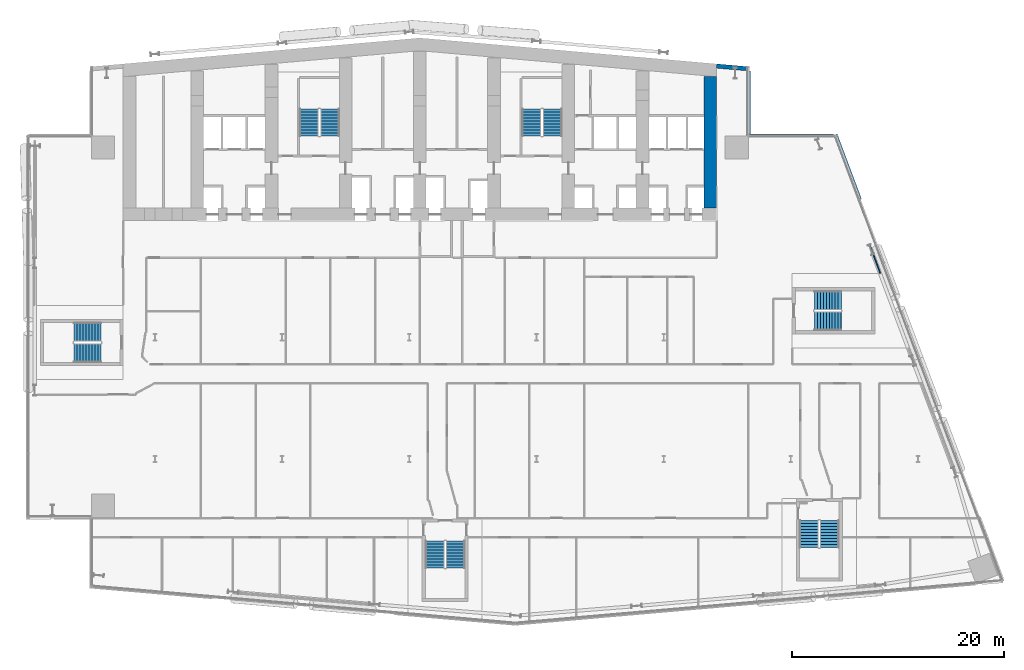
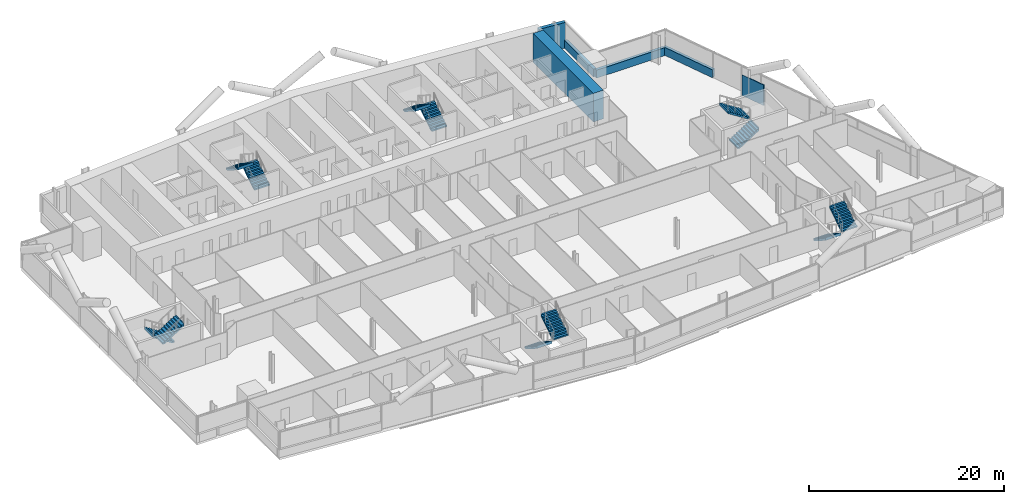
# One storey, part 21 of 28: 12 stair flights, 6 walls, 6 elements without a shape of their own.
"""IFC4 building model written with IfcOpenShell, lengths in metres."""

from ifc_helpers import new_model, si_unit, direction, frame, frame_2d, origin, place, context, subcontext, project, spatial, polyline, rectangle, outline, extrude, material, layer, layer_set, type_object, element, aggregate, save


model = new_model("IFC4")

# Units and contexts
model_context = context("Model", 3, precision=1e-05, world=origin(), true_north=direction((0.0, 1.0)))
body_context = subcontext(model_context, "Body", "Model", "MODEL_VIEW")
ifc_project = project(units=[si_unit("LENGTHUNIT", "METRE"), si_unit("AREAUNIT", "SQUARE_METRE"), si_unit("VOLUMEUNIT", "CUBIC_METRE"), si_unit("PLANEANGLEUNIT", "RADIAN"), si_unit("MASSUNIT", "GRAM", prefix="KILO")], contexts=[model_context])

# Site, building, storey
site_placement = place(None, origin())
site = spatial("IfcSite", under=ifc_project, at=site_placement, CompositionType="ELEMENT")
building_placement = place(site_placement, origin())
building = spatial("IfcBuilding", under=site, at=building_placement, Name="Wharfspan Tower", CompositionType="ELEMENT")
storey_placement = place(building_placement, frame((0.0, 0.0, 59.5)))
storey = spatial("IfcBuildingStorey", under=building, at=storey_placement, Name="L11", CompositionType="ELEMENT", Elevation=59.5)

# Walls
ifc_material_1 = material(Name="Concrete C70/85", Category="concrete")
ifc_layer_1 = layer(ifc_material_1, 1.199951)
ifc_layer_set_1 = layer_set([ifc_layer_1], Name="Concrete C70/85")
wall_type_1 = type_object("IfcWallType", Name="Core wall 1200 C70/85", PredefinedType="SHEAR", material=ifc_layer_set_1)
wall_1_placement = place(storey_placement, frame((64.399902, 35.199951, 0.0), z_axis=(0.0, 0.0, 1.0), x_axis=(0.0, 1.0, 0.0)))
element("IfcWall", 1, at=wall_1_placement, inside=storey, type_object=wall_type_1, Name="Core cross wall EW1 L11", PredefinedType="SHEAR", context=body_context, shape_type="SweptSolid", body=[
    extrude(rectangle(XDim=12.382812, YDim=1.199951, at=frame_2d((6.191406, 0.0))), origin(), (0.0, 0.0, 1.0), 3.600098),
])
ifc_material_2 = material(Name="Gypsum board on steel studs", Category="steel")
ifc_layer_2 = layer(ifc_material_2, 0.100098)
ifc_layer_set_2 = layer_set([ifc_layer_2], Name="Gypsum board on steel studs")
wall_type_2 = type_object("IfcWallType", Name="Partition 100", PredefinedType="PARTITIONING", material=ifc_layer_set_2)
wall_2_placement = place(storey_placement, frame((80.44751, 29.02002, 0.0), z_axis=(0.0, 0.0, 1.0), x_axis=(-0.35129, 0.93627, 0.0)))
element("IfcWall", 2, at=wall_2_placement, inside=storey, type_object=wall_type_2, Name="Partition L11.w086", PredefinedType="PARTITIONING", context=body_context, shape_type="SweptSolid", body=[
    extrude(rectangle(XDim=2.910645, YDim=0.100098, at=frame_2d((1.455322, 0.0))), origin(), (0.0, 0.0, 1.0), 2.580078),
])
ifc_material_3 = material(Name="Concrete C40/50", Category="concrete")
ifc_layer_3 = layer(ifc_material_3, 0.350098)
ifc_layer_set_3 = layer_set([ifc_layer_3], Name="Concrete C40/50")
wall_type_3 = type_object("IfcWallType", Name="SPANDREL EXPOSED CONCRETE 350", PredefinedType="SOLIDWALL", material=ifc_layer_set_3)
wall_3_placement = place(storey_placement, frame((78.494141, 36.029785, 0.0), z_axis=(0.0, 0.0, 1.0), x_axis=(-0.351108, 0.936338, 0.0)))
element("IfcWall", 3, at=wall_3_placement, inside=storey, type_object=wall_type_3, Name="Spandrel upstand L11 E 2", PredefinedType="SOLIDWALL", context=body_context, shape_type="SweptSolid", body=[
    extrude(rectangle(XDim=6.50293, YDim=0.350098, at=frame_2d((3.251465, 0.0))), origin(), (0.0, 0.0, 1.0), 1.0),
])
wall_4_placement = place(storey_placement, frame((76.047119, 42.004883, 0.0), z_axis=(0.0, 0.0, 1.0), x_axis=(-1.0, 0.0, 0.0)))
element("IfcWall", 4, at=wall_4_placement, inside=storey, type_object=wall_type_3, Name="Spandrel upstand L11 NRE-H", PredefinedType="SOLIDWALL", context=body_context, shape_type="SweptSolid", body=[
    extrude(rectangle(XDim=8.047119, YDim=0.350098, at=frame_2d((4.023438, 0.0))), origin(), (0.0, 0.0, 1.0), 1.0),
])
wall_5_placement = place(storey_placement, frame((68.004883, 42.179932, 0.0), z_axis=(0.0, 0.0, 1.0), x_axis=(0.0, 1.0, 0.0)))
element("IfcWall", 5, at=wall_5_placement, inside=storey, type_object=wall_type_3, Name="Spandrel upstand L11 NRE-V", PredefinedType="SOLIDWALL", context=body_context, shape_type="SweptSolid", body=[
    extrude(rectangle(XDim=5.946533, YDim=0.350098, at=frame_2d((2.973145, 0.0))), origin(), (0.0, 0.0, 1.0), 1.0),
])
ifc_layer_4 = layer(ifc_material_3, 0.399902)
ifc_layer_set_4 = layer_set([ifc_layer_4], Name="Concrete C40/50")
wall_type_4 = type_object("IfcWallType", Name="WALL EXPOSED CONCRETE 400", PredefinedType="SOLIDWALL", material=ifc_layer_set_4)
wall_6_placement = place(storey_placement, frame((67.982666, 48.325684, 0.0), z_axis=(0.0, 0.0, 1.0), x_axis=(-0.996194, 0.087168, 0.0)))
element("IfcWall", 6, at=wall_6_placement, inside=storey, type_object=wall_type_4, Name="Rear wall N2", PredefinedType="SOLIDWALL", context=body_context, shape_type="SweptSolid", body=[
    extrude(rectangle(XDim=2.994141, YDim=0.399902, at=frame_2d((1.49707, 0.0))), origin(), (0.0, 0.0, 1.0), 3.199951),
])

# Stair, stair flights
stair_type = type_object("IfcStairType", Name="Half-turn stair 20 risers 180 mm", PredefinedType="HALF_TURN_STAIR", material=ifc_material_3)
stair_1_placement = place(storey_placement, origin())
stair_1 = element("IfcStair", 7, at=stair_1_placement, inside=storey, type_object=stair_type, Name="L11 stair ST1", PredefinedType="HALF_TURN_STAIR")
stair_flight_type = type_object("IfcStairFlightType", Name="Stair flight 20 risers 180 mm", PredefinedType="STRAIGHT", material=ifc_material_3)
stair_flight_1_placement = place(storey_placement, frame((28.5, 42.0, 0.0), z_axis=(0.0, 0.0, 1.0), x_axis=(0.0, 1.0, 0.0)))
stair_flight_1 = element("IfcStairFlight", 8, at=stair_flight_1_placement, type_object=stair_flight_type, Name="ST1 flight 1", NumberOfRisers=10, NumberOfTreads=9, PredefinedType="STRAIGHT", RiserHeight=0.18, TreadLength=0.28, context=body_context, shape_type="SweptSolid", body=[
    extrude(outline(polyline([(-0.011963, 0.0), (-0.011963, 0.179932), (0.0, 0.179932), (0.280029, 0.179932), (0.280029, 0.360107), (0.560059, 0.360107), (0.560059, 0.540039), (0.840088, 0.540039), (0.840088, 0.719971), (1.120117, 0.719971), (1.120117, 0.899902), (1.399902, 0.899902), (1.399902, 1.080078), (1.679932, 1.080078), (1.679932, 1.26001), (1.959961, 1.26001), (1.959961, 1.439941), (2.23999, 1.439941), (2.23999, 1.620117), (2.52002, 1.620117), (2.531982, 1.800049), (2.531982, 1.441895), (0.2771, 0.0), (-0.011963, 0.0)])), frame((0.0, 0.899902, 0.0), z_axis=(0.0, -1.0, 0.0), x_axis=(1.0, 0.0, 0.0)), (0.0, 0.0, 1.0), 0.899414),
    extrude(outline(polyline([(-0.011963, 0.0), (-0.011963, 0.179932), (0.0, 0.179932), (0.280029, 0.179932), (0.280029, 0.360107), (0.560059, 0.360107), (0.560059, 0.540039), (0.840088, 0.540039), (0.840088, 0.719971), (1.120117, 0.719971), (1.120117, 0.899902), (1.399902, 0.899902), (1.399902, 1.080078), (1.679932, 1.080078), (1.679932, 1.26001), (1.959961, 1.26001), (1.959961, 1.439941), (2.23999, 1.439941), (2.23999, 1.620117), (2.52002, 1.620117), (2.531982, 1.800049), (2.531982, 1.441895), (0.2771, 0.0), (-0.011963, 0.0)])), frame((0.0, -0.000488, 0.0), z_axis=(0.0, -1.0, 0.0), x_axis=(1.0, 0.0, 0.0)), (0.0, 0.0, 1.0), 0.899414),
])
stair_flight_2_placement = place(storey_placement, frame((26.550049, 44.52002, 1.800049), z_axis=(0.0, 0.0, 1.0), x_axis=(0.0, -1.0, 0.0)))
stair_flight_2 = element("IfcStairFlight", 9, at=stair_flight_2_placement, type_object=stair_flight_type, Name="ST1 flight 2", NumberOfRisers=10, NumberOfTreads=9, PredefinedType="STRAIGHT", RiserHeight=0.18, TreadLength=0.28, context=body_context, shape_type="SweptSolid", body=[
    extrude(outline(polyline([(-0.011963, 0.0), (-0.011963, 0.179932), (0.0, 0.179932), (0.280029, 0.179932), (0.280029, 0.360107), (0.560059, 0.360107), (0.560059, 0.540039), (0.840088, 0.540039), (0.840088, 0.719971), (1.120117, 0.719971), (1.120117, 0.899902), (1.399902, 0.899902), (1.399902, 1.080078), (1.679932, 1.080078), (1.679932, 1.26001), (1.959961, 1.26001), (1.959961, 1.439941), (2.23999, 1.439941), (2.23999, 1.620117), (2.52002, 1.620117), (2.531982, 1.800049), (2.531982, 1.441895), (0.2771, 0.0), (-0.011963, 0.0)])), frame((0.0, 0.899902, 0.0), z_axis=(0.0, -1.0, 0.0), x_axis=(1.0, 0.0, 0.0)), (0.0, 0.0, 1.0), 0.899414),
    extrude(outline(polyline([(-0.011963, 0.0), (-0.011963, 0.179932), (0.0, 0.179932), (0.280029, 0.179932), (0.280029, 0.360107), (0.560059, 0.360107), (0.560059, 0.540039), (0.840088, 0.540039), (0.840088, 0.719971), (1.120117, 0.719971), (1.120117, 0.899902), (1.399902, 0.899902), (1.399902, 1.080078), (1.679932, 1.080078), (1.679932, 1.26001), (1.959961, 1.26001), (1.959961, 1.439941), (2.23999, 1.439941), (2.23999, 1.620117), (2.52002, 1.620117), (2.531982, 1.800049), (2.531982, 1.441895), (0.2771, 0.0), (-0.011963, 0.0)])), frame((0.0, -0.000488, 0.0), z_axis=(0.0, -1.0, 0.0), x_axis=(1.0, 0.0, 0.0)), (0.0, 0.0, 1.0), 0.899414),
])
aggregate(stair_1, [stair_flight_1, stair_flight_2])

stair_2_placement = place(storey_placement, origin())
stair_2 = element("IfcStair", 10, at=stair_2_placement, inside=storey, type_object=stair_type, Name="L11 stair ST2", PredefinedType="HALF_TURN_STAIR")
stair_flight_3_placement = place(storey_placement, frame((49.5, 42.0, 0.0), z_axis=(0.0, 0.0, 1.0), x_axis=(0.0, 1.0, 0.0)))
stair_flight_3 = element("IfcStairFlight", 11, at=stair_flight_3_placement, type_object=stair_flight_type, Name="ST2 flight 1", NumberOfRisers=10, NumberOfTreads=9, PredefinedType="STRAIGHT", RiserHeight=0.18, TreadLength=0.28, context=body_context, shape_type="SweptSolid", body=[
    extrude(outline(polyline([(-0.011963, 0.0), (-0.011963, 0.179932), (0.0, 0.179932), (0.280029, 0.179932), (0.280029, 0.360107), (0.560059, 0.360107), (0.560059, 0.540039), (0.840088, 0.540039), (0.840088, 0.719971), (1.120117, 0.719971), (1.120117, 0.899902), (1.399902, 0.899902), (1.399902, 1.080078), (1.679932, 1.080078), (1.679932, 1.26001), (1.959961, 1.26001), (1.959961, 1.439941), (2.23999, 1.439941), (2.23999, 1.620117), (2.52002, 1.620117), (2.531982, 1.800049), (2.531982, 1.441895), (0.2771, 0.0), (-0.011963, 0.0)])), frame((0.0, 0.899902, 0.0), z_axis=(0.0, -1.0, 0.0), x_axis=(1.0, 0.0, 0.0)), (0.0, 0.0, 1.0), 0.899414),
    extrude(outline(polyline([(-0.011963, 0.0), (-0.011963, 0.179932), (0.0, 0.179932), (0.280029, 0.179932), (0.280029, 0.360107), (0.560059, 0.360107), (0.560059, 0.540039), (0.840088, 0.540039), (0.840088, 0.719971), (1.120117, 0.719971), (1.120117, 0.899902), (1.399902, 0.899902), (1.399902, 1.080078), (1.679932, 1.080078), (1.679932, 1.26001), (1.959961, 1.26001), (1.959961, 1.439941), (2.23999, 1.439941), (2.23999, 1.620117), (2.52002, 1.620117), (2.531982, 1.800049), (2.531982, 1.441895), (0.2771, 0.0), (-0.011963, 0.0)])), frame((0.0, -0.000488, 0.0), z_axis=(0.0, -1.0, 0.0), x_axis=(1.0, 0.0, 0.0)), (0.0, 0.0, 1.0), 0.899414),
])
stair_flight_4_placement = place(storey_placement, frame((47.550049, 44.52002, 1.800049), z_axis=(0.0, 0.0, 1.0), x_axis=(0.0, -1.0, 0.0)))
stair_flight_4 = element("IfcStairFlight", 12, at=stair_flight_4_placement, type_object=stair_flight_type, Name="ST2 flight 2", NumberOfRisers=10, NumberOfTreads=9, PredefinedType="STRAIGHT", RiserHeight=0.18, TreadLength=0.28, context=body_context, shape_type="SweptSolid", body=[
    extrude(outline(polyline([(-0.011963, 0.0), (-0.011963, 0.179932), (0.0, 0.179932), (0.280029, 0.179932), (0.280029, 0.360107), (0.560059, 0.360107), (0.560059, 0.540039), (0.840088, 0.540039), (0.840088, 0.719971), (1.120117, 0.719971), (1.120117, 0.899902), (1.399902, 0.899902), (1.399902, 1.080078), (1.679932, 1.080078), (1.679932, 1.26001), (1.959961, 1.26001), (1.959961, 1.439941), (2.23999, 1.439941), (2.23999, 1.620117), (2.52002, 1.620117), (2.531982, 1.800049), (2.531982, 1.441895), (0.2771, 0.0), (-0.011963, 0.0)])), frame((0.0, 0.899902, 0.0), z_axis=(0.0, -1.0, 0.0), x_axis=(1.0, 0.0, 0.0)), (0.0, 0.0, 1.0), 0.899414),
    extrude(outline(polyline([(-0.011963, 0.0), (-0.011963, 0.179932), (0.0, 0.179932), (0.280029, 0.179932), (0.280029, 0.360107), (0.560059, 0.360107), (0.560059, 0.540039), (0.840088, 0.540039), (0.840088, 0.719971), (1.120117, 0.719971), (1.120117, 0.899902), (1.399902, 0.899902), (1.399902, 1.080078), (1.679932, 1.080078), (1.679932, 1.26001), (1.959961, 1.26001), (1.959961, 1.439941), (2.23999, 1.439941), (2.23999, 1.620117), (2.52002, 1.620117), (2.531982, 1.800049), (2.531982, 1.441895), (0.2771, 0.0), (-0.011963, 0.0)])), frame((0.0, -0.000488, 0.0), z_axis=(0.0, -1.0, 0.0), x_axis=(1.0, 0.0, 0.0)), (0.0, 0.0, 1.0), 0.899414),
])
aggregate(stair_2, [stair_flight_3, stair_flight_4])

stair_3_placement = place(storey_placement, origin())
stair_3 = element("IfcStair", 13, at=stair_3_placement, inside=storey, type_object=stair_type, Name="L11 stair ST3", PredefinedType="HALF_TURN_STAIR")
stair_flight_5_placement = place(storey_placement, frame((6.899902, 23.475098, 0.0), z_axis=(0.0, 0.0, 1.0), x_axis=(-1.0, 0.0, 0.0)))
stair_flight_5 = element("IfcStairFlight", 14, at=stair_flight_5_placement, type_object=stair_flight_type, Name="ST3 flight 1", NumberOfRisers=10, NumberOfTreads=9, PredefinedType="STRAIGHT", RiserHeight=0.18, TreadLength=0.28, context=body_context, shape_type="SweptSolid", body=[
    extrude(outline(polyline([(-0.011963, 0.0), (-0.011963, 0.179932), (0.0, 0.179932), (0.280029, 0.179932), (0.280029, 0.360107), (0.560059, 0.360107), (0.560059, 0.540039), (0.840088, 0.540039), (0.840088, 0.719971), (1.120117, 0.719971), (1.120117, 0.899902), (1.399902, 0.899902), (1.399902, 1.080078), (1.679932, 1.080078), (1.679932, 1.26001), (1.959961, 1.26001), (1.959961, 1.439941), (2.23999, 1.439941), (2.23999, 1.620117), (2.52002, 1.620117), (2.531982, 1.800049), (2.531982, 1.441895), (0.2771, 0.0), (-0.011963, 0.0)])), frame((0.0, 0.899902, 0.0), z_axis=(0.0, -1.0, 0.0), x_axis=(1.0, 0.0, 0.0)), (0.0, 0.0, 1.0), 0.899414),
    extrude(outline(polyline([(-0.011963, 0.0), (-0.011963, 0.179932), (0.0, 0.179932), (0.280029, 0.179932), (0.280029, 0.360107), (0.560059, 0.360107), (0.560059, 0.540039), (0.840088, 0.540039), (0.840088, 0.719971), (1.120117, 0.719971), (1.120117, 0.899902), (1.399902, 0.899902), (1.399902, 1.080078), (1.679932, 1.080078), (1.679932, 1.26001), (1.959961, 1.26001), (1.959961, 1.439941), (2.23999, 1.439941), (2.23999, 1.620117), (2.52002, 1.620117), (2.531982, 1.800049), (2.531982, 1.441895), (0.2771, 0.0), (-0.011963, 0.0)])), frame((0.0, -0.000488, 0.0), z_axis=(0.0, -1.0, 0.0), x_axis=(1.0, 0.0, 0.0)), (0.0, 0.0, 1.0), 0.899414),
])
stair_flight_6_placement = place(storey_placement, frame((4.379883, 21.524902, 1.800049), z_axis=(0.0, 0.0, 1.0), x_axis=(1.0, 0.0, 0.0)))
stair_flight_6 = element("IfcStairFlight", 15, at=stair_flight_6_placement, type_object=stair_flight_type, Name="ST3 flight 2", NumberOfRisers=10, NumberOfTreads=9, PredefinedType="STRAIGHT", RiserHeight=0.18, TreadLength=0.28, context=body_context, shape_type="SweptSolid", body=[
    extrude(outline(polyline([(-0.011963, 0.0), (-0.011963, 0.179932), (0.0, 0.179932), (0.280029, 0.179932), (0.280029, 0.360107), (0.560059, 0.360107), (0.560059, 0.540039), (0.840088, 0.540039), (0.840088, 0.719971), (1.120117, 0.719971), (1.120117, 0.899902), (1.399902, 0.899902), (1.399902, 1.080078), (1.679932, 1.080078), (1.679932, 1.26001), (1.959961, 1.26001), (1.959961, 1.439941), (2.23999, 1.439941), (2.23999, 1.620117), (2.52002, 1.620117), (2.531982, 1.800049), (2.531982, 1.441895), (0.2771, 0.0), (-0.011963, 0.0)])), frame((0.0, 0.899902, 0.0), z_axis=(0.0, -1.0, 0.0), x_axis=(1.0, 0.0, 0.0)), (0.0, 0.0, 1.0), 0.899414),
    extrude(outline(polyline([(-0.011963, 0.0), (-0.011963, 0.179932), (0.0, 0.179932), (0.280029, 0.179932), (0.280029, 0.360107), (0.560059, 0.360107), (0.560059, 0.540039), (0.840088, 0.540039), (0.840088, 0.719971), (1.120117, 0.719971), (1.120117, 0.899902), (1.399902, 0.899902), (1.399902, 1.080078), (1.679932, 1.080078), (1.679932, 1.26001), (1.959961, 1.26001), (1.959961, 1.439941), (2.23999, 1.439941), (2.23999, 1.620117), (2.52002, 1.620117), (2.531982, 1.800049), (2.531982, 1.441895), (0.2771, 0.0), (-0.011963, 0.0)])), frame((0.0, -0.000488, 0.0), z_axis=(0.0, -1.0, 0.0), x_axis=(1.0, 0.0, 0.0)), (0.0, 0.0, 1.0), 0.899414),
])
aggregate(stair_3, [stair_flight_5, stair_flight_6])

stair_4_placement = place(storey_placement, origin())
stair_4 = element("IfcStair", 16, at=stair_4_placement, inside=storey, type_object=stair_type, Name="L11 stair ST4", PredefinedType="HALF_TURN_STAIR")
stair_flight_7_placement = place(storey_placement, frame((38.408203, 3.760498, 0.0), z_axis=(0.0, 0.0, 1.0), x_axis=(0.0, -1.0, 0.0)))
stair_flight_7 = element("IfcStairFlight", 17, at=stair_flight_7_placement, type_object=stair_flight_type, Name="ST4 flight 1", NumberOfRisers=10, NumberOfTreads=9, PredefinedType="STRAIGHT", RiserHeight=0.18, TreadLength=0.28, context=body_context, shape_type="SweptSolid", body=[
    extrude(outline(polyline([(-0.011963, 0.0), (-0.011963, 0.179932), (0.0, 0.179932), (0.280029, 0.179932), (0.280029, 0.360107), (0.560059, 0.360107), (0.560059, 0.540039), (0.840088, 0.540039), (0.840088, 0.719971), (1.120117, 0.719971), (1.120117, 0.899902), (1.399902, 0.899902), (1.399902, 1.080078), (1.679932, 1.080078), (1.679932, 1.26001), (1.959961, 1.26001), (1.959961, 1.439941), (2.23999, 1.439941), (2.23999, 1.620117), (2.52002, 1.620117), (2.531982, 1.800049), (2.531982, 1.441895), (0.2771, 0.0), (-0.011963, 0.0)])), frame((0.0, 0.899902, 0.0), z_axis=(0.0, -1.0, 0.0), x_axis=(1.0, 0.0, 0.0)), (0.0, 0.0, 1.0), 0.899414),
    extrude(outline(polyline([(-0.011963, 0.0), (-0.011963, 0.179932), (0.0, 0.179932), (0.280029, 0.179932), (0.280029, 0.360107), (0.560059, 0.360107), (0.560059, 0.540039), (0.840088, 0.540039), (0.840088, 0.719971), (1.120117, 0.719971), (1.120117, 0.899902), (1.399902, 0.899902), (1.399902, 1.080078), (1.679932, 1.080078), (1.679932, 1.26001), (1.959961, 1.26001), (1.959961, 1.439941), (2.23999, 1.439941), (2.23999, 1.620117), (2.52002, 1.620117), (2.531982, 1.800049), (2.531982, 1.441895), (0.2771, 0.0), (-0.011963, 0.0)])), frame((0.0, -0.000488, 0.0), z_axis=(0.0, -1.0, 0.0), x_axis=(1.0, 0.0, 0.0)), (0.0, 0.0, 1.0), 0.899414),
])
stair_flight_8_placement = place(storey_placement, frame((40.358398, 1.240723, 1.800049), z_axis=(0.0, 0.0, 1.0), x_axis=(0.0, 1.0, 0.0)))
stair_flight_8 = element("IfcStairFlight", 18, at=stair_flight_8_placement, type_object=stair_flight_type, Name="ST4 flight 2", NumberOfRisers=10, NumberOfTreads=9, PredefinedType="STRAIGHT", RiserHeight=0.18, TreadLength=0.28, context=body_context, shape_type="SweptSolid", body=[
    extrude(outline(polyline([(-0.011963, 0.0), (-0.011963, 0.179932), (0.0, 0.179932), (0.280029, 0.179932), (0.280029, 0.360107), (0.560059, 0.360107), (0.560059, 0.540039), (0.840088, 0.540039), (0.840088, 0.719971), (1.120117, 0.719971), (1.120117, 0.899902), (1.399902, 0.899902), (1.399902, 1.080078), (1.679932, 1.080078), (1.679932, 1.26001), (1.959961, 1.26001), (1.959961, 1.439941), (2.23999, 1.439941), (2.23999, 1.620117), (2.52002, 1.620117), (2.531982, 1.800049), (2.531982, 1.441895), (0.2771, 0.0), (-0.011963, 0.0)])), frame((0.0, 0.899902, 0.0), z_axis=(0.0, -1.0, 0.0), x_axis=(1.0, 0.0, 0.0)), (0.0, 0.0, 1.0), 0.899414),
    extrude(outline(polyline([(-0.011963, 0.0), (-0.011963, 0.179932), (0.0, 0.179932), (0.280029, 0.179932), (0.280029, 0.360107), (0.560059, 0.360107), (0.560059, 0.540039), (0.840088, 0.540039), (0.840088, 0.719971), (1.120117, 0.719971), (1.120117, 0.899902), (1.399902, 0.899902), (1.399902, 1.080078), (1.679932, 1.080078), (1.679932, 1.26001), (1.959961, 1.26001), (1.959961, 1.439941), (2.23999, 1.439941), (2.23999, 1.620117), (2.52002, 1.620117), (2.531982, 1.800049), (2.531982, 1.441895), (0.2771, 0.0), (-0.011963, 0.0)])), frame((0.0, -0.000488, 0.0), z_axis=(0.0, -1.0, 0.0), x_axis=(1.0, 0.0, 0.0)), (0.0, 0.0, 1.0), 0.899414),
])
aggregate(stair_4, [stair_flight_7, stair_flight_8])

stair_5_placement = place(storey_placement, origin())
stair_5 = element("IfcStair", 19, at=stair_5_placement, inside=storey, type_object=stair_type, Name="L11 stair ST5", PredefinedType="HALF_TURN_STAIR")
stair_flight_9_placement = place(storey_placement, frame((73.717529, 5.691895, 0.0), z_axis=(0.0, 0.0, 1.0), x_axis=(0.0, -1.0, 0.0)))
stair_flight_9 = element("IfcStairFlight", 20, at=stair_flight_9_placement, type_object=stair_flight_type, Name="ST5 flight 1", NumberOfRisers=10, NumberOfTreads=9, PredefinedType="STRAIGHT", RiserHeight=0.18, TreadLength=0.28, context=body_context, shape_type="SweptSolid", body=[
    extrude(outline(polyline([(-0.011963, 0.0), (-0.011963, 0.179932), (0.0, 0.179932), (0.280029, 0.179932), (0.280029, 0.360107), (0.560059, 0.360107), (0.560059, 0.540039), (0.840088, 0.540039), (0.840088, 0.719971), (1.120117, 0.719971), (1.120117, 0.899902), (1.399902, 0.899902), (1.399902, 1.080078), (1.679932, 1.080078), (1.679932, 1.26001), (1.959961, 1.26001), (1.959961, 1.439941), (2.23999, 1.439941), (2.23999, 1.620117), (2.52002, 1.620117), (2.531982, 1.800049), (2.531982, 1.441895), (0.2771, 0.0), (-0.011963, 0.0)])), frame((0.0, 0.899902, 0.0), z_axis=(0.0, -1.0, 0.0), x_axis=(1.0, 0.0, 0.0)), (0.0, 0.0, 1.0), 0.899414),
    extrude(outline(polyline([(-0.011963, 0.0), (-0.011963, 0.179932), (0.0, 0.179932), (0.280029, 0.179932), (0.280029, 0.360107), (0.560059, 0.360107), (0.560059, 0.540039), (0.840088, 0.540039), (0.840088, 0.719971), (1.120117, 0.719971), (1.120117, 0.899902), (1.399902, 0.899902), (1.399902, 1.080078), (1.679932, 1.080078), (1.679932, 1.26001), (1.959961, 1.26001), (1.959961, 1.439941), (2.23999, 1.439941), (2.23999, 1.620117), (2.52002, 1.620117), (2.531982, 1.800049), (2.531982, 1.441895), (0.2771, 0.0), (-0.011963, 0.0)])), frame((0.0, -0.000488, 0.0), z_axis=(0.0, -1.0, 0.0), x_axis=(1.0, 0.0, 0.0)), (0.0, 0.0, 1.0), 0.899414),
])
stair_flight_10_placement = place(storey_placement, frame((75.66748, 3.172119, 1.800049), z_axis=(0.0, 0.0, 1.0), x_axis=(0.0, 1.0, 0.0)))
stair_flight_10 = element("IfcStairFlight", 21, at=stair_flight_10_placement, type_object=stair_flight_type, Name="ST5 flight 2", NumberOfRisers=10, NumberOfTreads=9, PredefinedType="STRAIGHT", RiserHeight=0.18, TreadLength=0.28, context=body_context, shape_type="SweptSolid", body=[
    extrude(outline(polyline([(-0.011963, 0.0), (-0.011963, 0.179932), (0.0, 0.179932), (0.280029, 0.179932), (0.280029, 0.360107), (0.560059, 0.360107), (0.560059, 0.540039), (0.840088, 0.540039), (0.840088, 0.719971), (1.120117, 0.719971), (1.120117, 0.899902), (1.399902, 0.899902), (1.399902, 1.080078), (1.679932, 1.080078), (1.679932, 1.26001), (1.959961, 1.26001), (1.959961, 1.439941), (2.23999, 1.439941), (2.23999, 1.620117), (2.52002, 1.620117), (2.531982, 1.800049), (2.531982, 1.441895), (0.2771, 0.0), (-0.011963, 0.0)])), frame((0.0, 0.899902, 0.0), z_axis=(0.0, -1.0, 0.0), x_axis=(1.0, 0.0, 0.0)), (0.0, 0.0, 1.0), 0.899414),
    extrude(outline(polyline([(-0.011963, 0.0), (-0.011963, 0.179932), (0.0, 0.179932), (0.280029, 0.179932), (0.280029, 0.360107), (0.560059, 0.360107), (0.560059, 0.540039), (0.840088, 0.540039), (0.840088, 0.719971), (1.120117, 0.719971), (1.120117, 0.899902), (1.399902, 0.899902), (1.399902, 1.080078), (1.679932, 1.080078), (1.679932, 1.26001), (1.959961, 1.26001), (1.959961, 1.439941), (2.23999, 1.439941), (2.23999, 1.620117), (2.52002, 1.620117), (2.531982, 1.800049), (2.531982, 1.441895), (0.2771, 0.0), (-0.011963, 0.0)])), frame((0.0, -0.000488, 0.0), z_axis=(0.0, -1.0, 0.0), x_axis=(1.0, 0.0, 0.0)), (0.0, 0.0, 1.0), 0.899414),
])
aggregate(stair_5, [stair_flight_9, stair_flight_10])

stair_6_placement = place(storey_placement, origin())
stair_6 = element("IfcStair", 22, at=stair_6_placement, inside=storey, type_object=stair_type, Name="L11 stair ST6", PredefinedType="HALF_TURN_STAIR")
stair_flight_11_placement = place(storey_placement, frame((74.225098, 24.524902, 0.0), z_axis=(0.0, 0.0, 1.0), x_axis=(1.0, 0.0, 0.0)))
stair_flight_11 = element("IfcStairFlight", 23, at=stair_flight_11_placement, type_object=stair_flight_type, Name="ST6 flight 1", NumberOfRisers=10, NumberOfTreads=9, PredefinedType="STRAIGHT", RiserHeight=0.18, TreadLength=0.28, context=body_context, shape_type="SweptSolid", body=[
    extrude(outline(polyline([(-0.011963, 0.0), (-0.011963, 0.179932), (0.0, 0.179932), (0.280029, 0.179932), (0.280029, 0.360107), (0.560059, 0.360107), (0.560059, 0.540039), (0.840088, 0.540039), (0.840088, 0.719971), (1.120117, 0.719971), (1.120117, 0.899902), (1.399902, 0.899902), (1.399902, 1.080078), (1.679932, 1.080078), (1.679932, 1.26001), (1.959961, 1.26001), (1.959961, 1.439941), (2.23999, 1.439941), (2.23999, 1.620117), (2.52002, 1.620117), (2.531982, 1.800049), (2.531982, 1.441895), (0.2771, 0.0), (-0.011963, 0.0)])), frame((0.0, 0.899902, 0.0), z_axis=(0.0, -1.0, 0.0), x_axis=(1.0, 0.0, 0.0)), (0.0, 0.0, 1.0), 0.899414),
    extrude(outline(polyline([(-0.011963, 0.0), (-0.011963, 0.179932), (0.0, 0.179932), (0.280029, 0.179932), (0.280029, 0.360107), (0.560059, 0.360107), (0.560059, 0.540039), (0.840088, 0.540039), (0.840088, 0.719971), (1.120117, 0.719971), (1.120117, 0.899902), (1.399902, 0.899902), (1.399902, 1.080078), (1.679932, 1.080078), (1.679932, 1.26001), (1.959961, 1.26001), (1.959961, 1.439941), (2.23999, 1.439941), (2.23999, 1.620117), (2.52002, 1.620117), (2.531982, 1.800049), (2.531982, 1.441895), (0.2771, 0.0), (-0.011963, 0.0)])), frame((0.0, -0.000488, 0.0), z_axis=(0.0, -1.0, 0.0), x_axis=(1.0, 0.0, 0.0)), (0.0, 0.0, 1.0), 0.899414),
])
stair_flight_12_placement = place(storey_placement, frame((76.745117, 26.475098, 1.800049), z_axis=(0.0, 0.0, 1.0), x_axis=(-1.0, 0.0, 0.0)))
stair_flight_12 = element("IfcStairFlight", 24, at=stair_flight_12_placement, type_object=stair_flight_type, Name="ST6 flight 2", NumberOfRisers=10, NumberOfTreads=9, PredefinedType="STRAIGHT", RiserHeight=0.18, TreadLength=0.28, context=body_context, shape_type="SweptSolid", body=[
    extrude(outline(polyline([(-0.011963, 0.0), (-0.011963, 0.179932), (0.0, 0.179932), (0.280029, 0.179932), (0.280029, 0.360107), (0.560059, 0.360107), (0.560059, 0.540039), (0.840088, 0.540039), (0.840088, 0.719971), (1.120117, 0.719971), (1.120117, 0.899902), (1.399902, 0.899902), (1.399902, 1.080078), (1.679932, 1.080078), (1.679932, 1.26001), (1.959961, 1.26001), (1.959961, 1.439941), (2.23999, 1.439941), (2.23999, 1.620117), (2.52002, 1.620117), (2.531982, 1.800049), (2.531982, 1.441895), (0.2771, 0.0), (-0.011963, 0.0)])), frame((0.0, 0.899902, 0.0), z_axis=(0.0, -1.0, 0.0), x_axis=(1.0, 0.0, 0.0)), (0.0, 0.0, 1.0), 0.899414),
    extrude(outline(polyline([(-0.011963, 0.0), (-0.011963, 0.179932), (0.0, 0.179932), (0.280029, 0.179932), (0.280029, 0.360107), (0.560059, 0.360107), (0.560059, 0.540039), (0.840088, 0.540039), (0.840088, 0.719971), (1.120117, 0.719971), (1.120117, 0.899902), (1.399902, 0.899902), (1.399902, 1.080078), (1.679932, 1.080078), (1.679932, 1.26001), (1.959961, 1.26001), (1.959961, 1.439941), (2.23999, 1.439941), (2.23999, 1.620117), (2.52002, 1.620117), (2.531982, 1.800049), (2.531982, 1.441895), (0.2771, 0.0), (-0.011963, 0.0)])), frame((0.0, -0.000488, 0.0), z_axis=(0.0, -1.0, 0.0), x_axis=(1.0, 0.0, 0.0)), (0.0, 0.0, 1.0), 0.899414),
])
aggregate(stair_6, [stair_flight_11, stair_flight_12])

save(model, "model.ifc")
